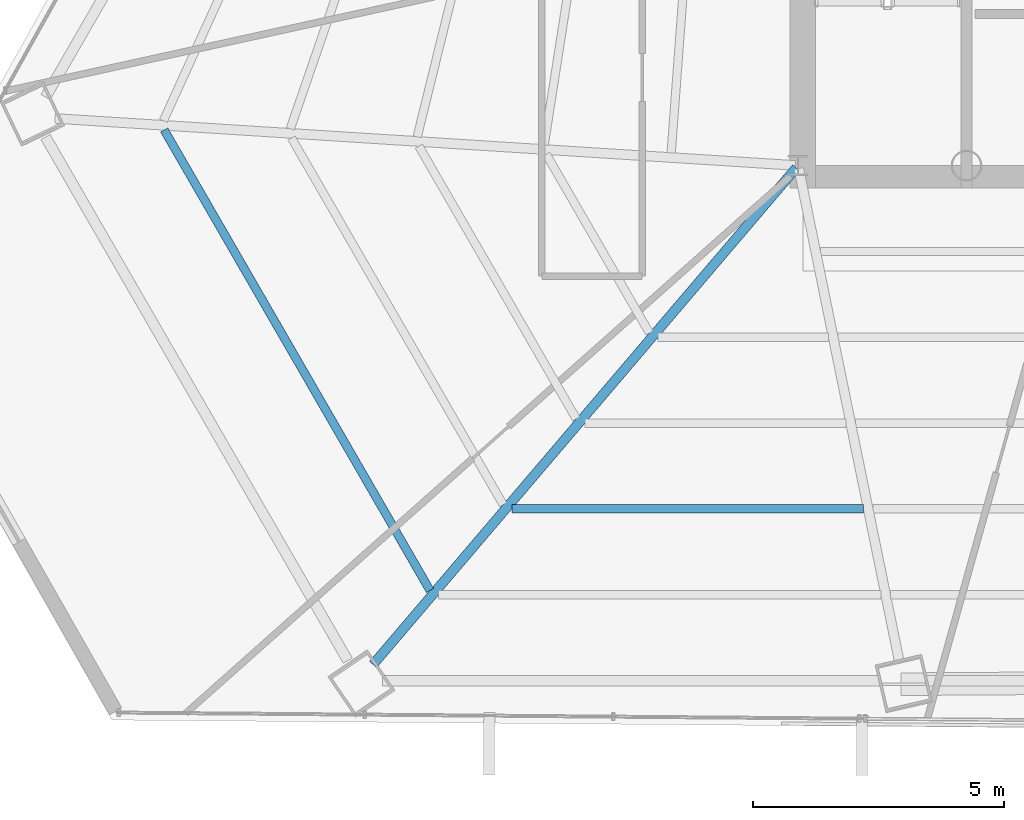
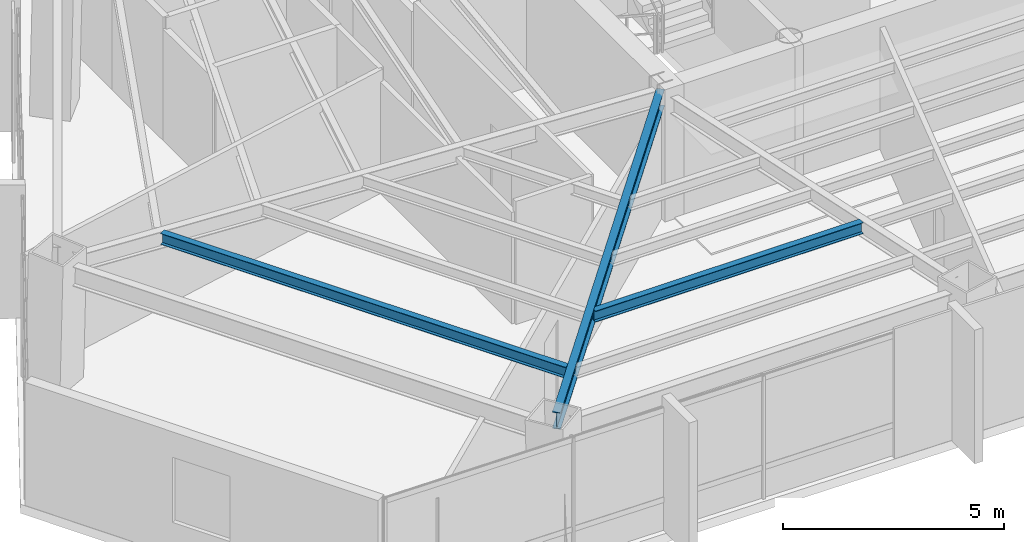
# One storey, part 5 of 39: 3 beams.
"""IFC4 building model written with IfcOpenShell, lengths in metres."""

from ifc_helpers import new_model, si_unit, direction, frame, origin, origin_2d, place, context, subcontext, project, spatial, i_section, extrude, source, transform, mapped, material, material_profile, profile_set, type_object, type_shapes, element, save


model = new_model("IFC4")

# Units and contexts
model_context = context("Model", 3, precision=1e-05, world=origin(), true_north=direction((0.0, 1.0)))
body_context = subcontext(model_context, "Body", "Model", "MODEL_VIEW")
ifc_project = project(units=[si_unit("LENGTHUNIT", "METRE"), si_unit("AREAUNIT", "SQUARE_METRE"), si_unit("VOLUMEUNIT", "CUBIC_METRE"), si_unit("PLANEANGLEUNIT", "RADIAN"), si_unit("MASSUNIT", "GRAM", prefix="KILO")], contexts=[model_context])

# Site, building, storey
site_placement = place(None, origin())
site = spatial("IfcSite", under=ifc_project, at=site_placement, CompositionType="ELEMENT")
building_placement = place(site_placement, origin())
building = spatial("IfcBuilding", under=site, at=building_placement, Name="Caelisora Broadcast Tower", CompositionType="ELEMENT")
storey_placement = place(building_placement, frame((0.0, 0.0, 142.75)))
storey = spatial("IfcBuildingStorey", under=building, at=storey_placement, Name="L37", CompositionType="ELEMENT", Elevation=142.75)

# Beams
ifc_material = material(Name="Steel Grade 350 (AS/NZS 3679.1)", Category="steel")
ifc_material_profile_1 = material_profile(ifc_material, i_section(OverallWidth=0.19091796875, OverallDepth=0.46044921875, WebThickness=0.010009765625, FlangeThickness=0.01611328125, at=origin_2d()), Name="Steel Grade 350 (AS/NZS 3679.1)")
ifc_profile_set_1 = profile_set([ifc_material_profile_1], Name="Steel Grade 350 (AS/NZS 3679.1)")
beam_type_1 = type_object("IfcBeamType", Name="PG06", PredefinedType="BEAM", material=ifc_profile_set_1)
shared_shape_1 = source(origin(), body_context, "Body", "SweptSolid", [
    extrude(i_section(OverallWidth=0.19091796875, OverallDepth=0.46044921875, WebThickness=0.010009765625, FlangeThickness=0.01611328125, at=origin_2d()), origin(), (0.0, 0.0, 1.0), 12.98291015625),
])
type_shapes(beam_type_1, [shared_shape_1])
beam_1_placement = place(storey_placement, frame((30.461181640625, 17.354248046875, 3.169921875), z_axis=(-0.648631512389, -0.76110259567, 0.0), x_axis=(0.76110259567, -0.648631512389, 0.0)))
element("IfcBeam", 1, at=beam_1_placement, inside=storey, type_object=beam_type_1, Name="L37 beam PG06", PredefinedType="BEAM", context=body_context, shape_type="MappedRepresentation", body=[
    mapped(shared_shape_1, transform((0.0, 0.0, 0.0), scale=1.0)),
])
ifc_material_profile_2 = material_profile(ifc_material, i_section(OverallWidth=0.166015625, OverallDepth=0.30712890625, WebThickness=0.006591796875, FlangeThickness=0.01171875, at=origin_2d()), Name="Steel Grade 350 (AS/NZS 3679.1)")
ifc_profile_set_2 = profile_set([ifc_material_profile_2], Name="Steel Grade 350 (AS/NZS 3679.1)")
beam_type_2 = type_object("IfcBeamType", Name="SB03", PredefinedType="JOIST", material=ifc_profile_set_2)
shared_shape_2 = source(origin(), body_context, "Body", "SweptSolid", [
    extrude(i_section(OverallWidth=0.166015625, OverallDepth=0.30712890625, WebThickness=0.006591796875, FlangeThickness=0.01171875, at=origin_2d()), origin(), (0.0, 0.0, 1.0), 10.579345703125),
])
beam_2_placement = place(storey_placement, frame((17.88427734375, 18.108154296875, 3.246337890625), z_axis=(0.499986138126, -0.866033406793, 0.0), x_axis=(0.866033406793, 0.499986138126, 0.0)))
element("IfcBeam", 2, at=beam_2_placement, inside=storey, type_object=beam_type_2, Name="L37 beam SB03", PredefinedType="JOIST", context=body_context, shape_type="MappedRepresentation", body=[
    mapped(shared_shape_2, transform((0.0, 0.0, 0.0), scale=1.0)),
])
shared_shape_3 = source(origin(), body_context, "Body", "SweptSolid", [
    extrude(i_section(OverallWidth=0.166015625, OverallDepth=0.30712890625, WebThickness=0.006591796875, FlangeThickness=0.01171875, at=origin_2d()), origin(), (0.0, 0.0, 1.0), 6.99755859375),
])
type_shapes(beam_type_2, [shared_shape_2, shared_shape_3])
beam_3_placement = place(storey_placement, frame((24.80078125, 10.568603515625, 3.246337890625), z_axis=(1.0, 0.0, 0.0), x_axis=(0.0, 1.0, 0.0)))
element("IfcBeam", 3, at=beam_3_placement, inside=storey, type_object=beam_type_2, Name="L37 beam SB03", PredefinedType="JOIST", context=body_context, shape_type="MappedRepresentation", body=[
    mapped(shared_shape_3, transform((0.0, 0.0, 0.0), scale=1.0)),
])

save(model, "model.ifc")
